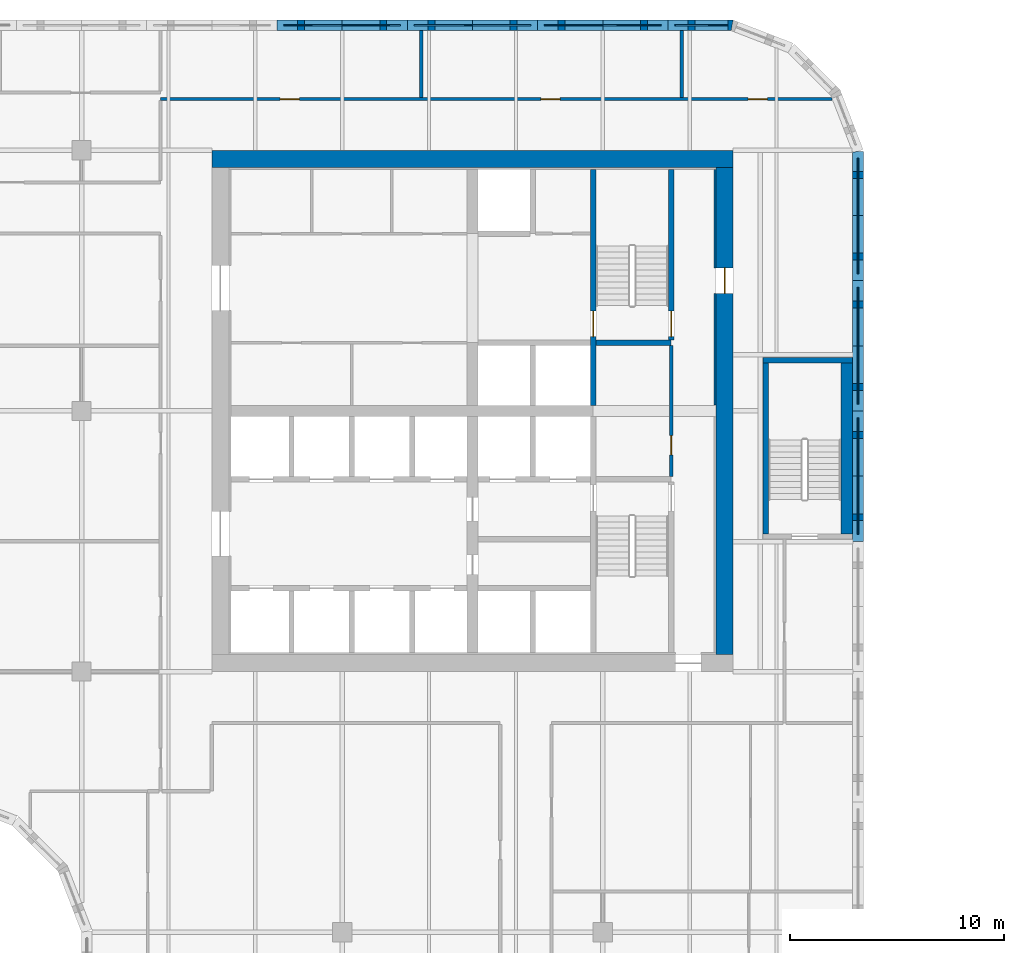
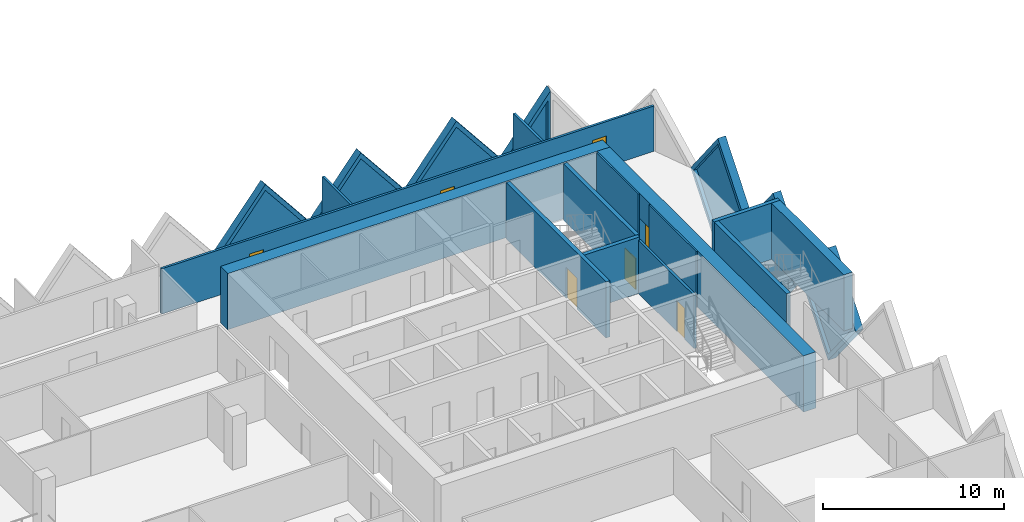
# One storey, part 10 of 19: 21 walls, 7 doors, 7 plates, 14 openings.
"""IFC4 building model written with IfcOpenShell, lengths in metres."""

from ifc_helpers import new_model, si_unit, direction, frame, frame_2d, origin, place, context, subcontext, project, spatial, polyline, rectangle, outline, extrude, faceted_brep, source, transform, mapped, material, layer, layer_set, type_object, element, fill, save


model = new_model("IFC4")

# Units and contexts
model_context = context("Model", 3, precision=1e-05, world=origin(), true_north=direction((0.0, 1.0)))
body_context = subcontext(model_context, "Body", "Model", "MODEL_VIEW")
ifc_project = project(units=[si_unit("LENGTHUNIT", "METRE"), si_unit("AREAUNIT", "SQUARE_METRE"), si_unit("VOLUMEUNIT", "CUBIC_METRE"), si_unit("PLANEANGLEUNIT", "RADIAN"), si_unit("MASSUNIT", "GRAM", prefix="KILO")], contexts=[model_context])

# Site, building, storey
site_placement = place(None, origin())
site = spatial("IfcSite", under=ifc_project, at=site_placement, CompositionType="ELEMENT")
building_placement = place(site_placement, origin())
building = spatial("IfcBuilding", under=site, at=building_placement, Name="Tessera Gate Towers", CompositionType="ELEMENT")
storey_placement = place(building_placement, frame((0.0, 0.0, 83.800048828125)))
storey = spatial("IfcBuildingStorey", under=building, at=storey_placement, Name="L20", CompositionType="ELEMENT", Elevation=83.800048828125)

# Wall, opening, door
ifc_material_1 = material(Name="Concrete C40/50", Category="concrete")
ifc_layer_1 = layer(ifc_material_1, 0.25)
ifc_layer_set_1 = layer_set([ifc_layer_1], Name="CORE ENCLOSURE WALL 250")
wall_type_1 = type_object("IfcWallType", Name="CORE ENCLOSURE WALL 250", PredefinedType="SOLIDWALL", material=ifc_layer_set_1)
wall_1_placement = place(storey_placement, frame((48.35009765625, 47.89990234375, 0.0), z_axis=(0.0, 0.0, 1.0), x_axis=(0.0, -1.0, 0.0)))
wall_1 = element("IfcWall", 1, at=wall_1_placement, inside=storey, type_object=wall_type_1, Name="L20 shaft and stair enclosure wall", PredefinedType="SOLIDWALL", context=body_context, shape_type="SweptSolid", body=[
    extrude(rectangle(XDim=11.0498046875, YDim=0.25, at=frame_2d((5.52490234375, 0.0))), origin(), (0.0, 0.0, 1.0), 3.800048828125),
])
shared_shape_1 = source(origin(), body_context, "Body", "SweptSolid", [
    extrude(rectangle(XDim=1.199951171875, YDim=2.10009765625, at=frame_2d((0.60009765625, 1.050048828125))), frame((0.0, 0.135009765625, 0.0), z_axis=(0.0, -1.0, 0.0), x_axis=(1.0, 0.0, 0.0)), (0.0, 0.0, 1.0), 0.27001953125),
])
opening_1_placement = place(wall_1_placement, frame((6.625, 0.0, 0.0)))
opening_1 = element("IfcOpeningElement", 2, at=opening_1_placement, cuts=wall_1, Name="Opening SD-ST2-1", PredefinedType="OPENING", context=body_context, shape_type="MappedRepresentation", body=[
    mapped(shared_shape_1, transform((0.0, 0.0, 0.0), scale=1.0)),
])
ifc_material_2 = material(Name="Hollow steel fire door", Category="steel")
door_type_1 = type_object("IfcDoorType", Name="CORE DOOR SD 1200x2100", OperationType="NOTDEFINED", PredefinedType="DOOR", material=ifc_material_2)
shared_shape_2 = source(origin(), body_context, "Body", "SweptSolid", [
    extrude(rectangle(XDim=1.199951171875, YDim=2.10009765625, at=frame_2d((0.60009765625, 1.050048828125))), frame((0.0, 0.02490234375, 0.0), z_axis=(0.0, -1.0, 0.0), x_axis=(1.0, 0.0, 0.0)), (0.0, 0.0, 1.0), 0.050048828125),
])
door_1_placement = place(opening_1_placement, origin())
door_1 = element("IfcDoor", 3, at=door_1_placement, inside=storey, type_object=door_type_1, Name="Stair door", OperationType="SINGLE_SWING_RIGHT", OverallHeight=2.10009765625, OverallWidth=1.199951171875, PredefinedType="DOOR", context=body_context, shape_type="MappedRepresentation", body=[
    mapped(shared_shape_2, transform((0.0, 0.0, 0.0), scale=1.0)),
])
fill(opening_1, door_1)

# Wall
wall_2_placement = place(storey_placement, frame((48.47509765625, 39.800048828125, 0.0), z_axis=(0.0, 0.0, 1.0), x_axis=(1.0, 0.0, 0.0)))
element("IfcWall", 4, at=wall_2_placement, inside=storey, type_object=wall_type_1, Name="L20 shaft and stair enclosure wall", PredefinedType="SOLIDWALL", context=body_context, shape_type="SweptSolid", body=[
    extrude(rectangle(XDim=3.52490234375, YDim=0.25, at=frame_2d((1.762451171875, 0.0))), origin(), (0.0, 0.0, 1.0), 3.800048828125),
])

# Wall, opening, door
wall_3_placement = place(storey_placement, frame((52.0, 39.925048828125, 0.0), z_axis=(0.0, 0.0, 1.0), x_axis=(0.0, 1.0, 0.0)))
wall_3 = element("IfcWall", 5, at=wall_3_placement, inside=storey, type_object=wall_type_1, Name="L20 shaft and stair enclosure wall", PredefinedType="SOLIDWALL", context=body_context, shape_type="SweptSolid", body=[
    extrude(rectangle(XDim=7.974853515625, YDim=0.25, at=frame_2d((3.9873046875, 0.0))), origin(), (0.0, 0.0, 1.0), 3.800048828125),
])
opening_2_placement = place(wall_3_placement, frame((0.14990234375, 0.0, 0.0)))
opening_2 = element("IfcOpeningElement", 6, at=opening_2_placement, cuts=wall_3, Name="Opening SD-ST2-2", PredefinedType="OPENING", context=body_context, shape_type="MappedRepresentation", body=[
    mapped(shared_shape_1, transform((0.0, 0.0, 0.0), scale=1.0)),
])
door_2_placement = place(opening_2_placement, origin())
door_2 = element("IfcDoor", 7, at=door_2_placement, inside=storey, type_object=door_type_1, Name="Stair door", OperationType="SINGLE_SWING_LEFT", OverallHeight=2.10009765625, OverallWidth=1.199951171875, PredefinedType="DOOR", context=body_context, shape_type="MappedRepresentation", body=[
    mapped(shared_shape_2, transform((0.0, 0.0, 0.0), scale=1.0)),
])
fill(opening_2, door_2)

# Walls
wall_4_placement = place(storey_placement, frame((56.425048828125, 30.85009765625, 0.0), z_axis=(0.0, 0.0, 1.0), x_axis=(0.0, 1.0, 0.0)))
element("IfcWall", 8, at=wall_4_placement, inside=storey, type_object=wall_type_1, Name="L20 ST5 enclosure wall", PredefinedType="SOLIDWALL", context=body_context, shape_type="SweptSolid", body=[
    extrude(rectangle(XDim=8.0, YDim=0.25, at=frame_2d((4.0, 0.0))), origin(), (0.0, 0.0, 1.0), 3.800048828125),
])
wall_5_placement = place(storey_placement, frame((56.300048828125, 38.97509765625, 0.0), z_axis=(0.0, 0.0, 1.0), x_axis=(1.0, 0.0, 0.0)))
element("IfcWall", 9, at=wall_5_placement, inside=storey, type_object=wall_type_1, Name="L20 ST5 enclosure wall", PredefinedType="SOLIDWALL", context=body_context, shape_type="SweptSolid", body=[
    extrude(rectangle(XDim=4.199951171875, YDim=0.25, at=frame_2d((2.10009765625, 0.0))), origin(), (0.0, 0.0, 1.0), 3.800048828125),
])
ifc_material_3 = material(Name="Concrete C40/50", Category="concrete")
ifc_layer_2 = layer(ifc_material_3, 0.550048828125)
ifc_layer_set_2 = layer_set([ifc_layer_2], Name="CORE ENCLOSURE WALL 550")
wall_type_2 = type_object("IfcWallType", Name="CORE ENCLOSURE WALL 550", PredefinedType="SOLIDWALL", material=ifc_layer_set_2)
wall_6_placement = place(storey_placement, frame((60.22509765625, 38.85009765625, 0.0), z_axis=(0.0, 0.0, 1.0), x_axis=(0.0, -1.0, 0.0)))
element("IfcWall", 10, at=wall_6_placement, inside=storey, type_object=wall_type_2, Name="L20 ST5 enclosure wall", PredefinedType="SOLIDWALL", context=body_context, shape_type="SweptSolid", body=[
    extrude(rectangle(XDim=8.0, YDim=0.550048828125, at=frame_2d((4.0, 0.0))), origin(), (0.0, 0.0, 1.0), 3.800048828125),
])
ifc_material_4 = material(Name="Concrete C60/75", Category="concrete")
ifc_layer_3 = layer(ifc_material_4, 0.800048828125)
ifc_layer_set_3 = layer_set([ifc_layer_3], Name="CORE SHEAR WALL 800 C60/75")
wall_type_3 = type_object("IfcWallType", Name="CORE SHEAR WALL 800 C60/75", PredefinedType="SHEAR", material=ifc_layer_set_3)
wall_7_placement = place(storey_placement, frame((30.5, 48.39990234375, 0.0), z_axis=(0.0, 0.0, 1.0), x_axis=(1.0, 0.0, 0.0)))
element("IfcWall", 11, at=wall_7_placement, inside=storey, type_object=wall_type_3, Name="Core wall N L20", PredefinedType="SHEAR", context=body_context, shape_type="SweptSolid", body=[
    extrude(rectangle(XDim=24.39990234375, YDim=0.800048828125, at=frame_2d((12.199951171875, 0.0))), origin(), (0.0, 0.0, 1.0), 3.800048828125),
])

# Wall, opening, door
wall_8_placement = place(storey_placement, frame((54.5, 48.0, 0.0), z_axis=(0.0, 0.0, 1.0), x_axis=(0.0, -1.0, 0.0)))
wall_8 = element("IfcWall", 12, at=wall_8_placement, inside=storey, type_object=wall_type_3, Name="Core wall E L20", PredefinedType="SHEAR", context=body_context, shape_type="SweptSolid", body=[
    extrude(rectangle(XDim=22.800048828125, YDim=0.800048828125, at=frame_2d((11.39990234375, 0.0))), origin(), (0.0, 0.0, 1.0), 3.800048828125),
])
shared_shape_3 = source(origin(), body_context, "Body", "SweptSolid", [
    extrude(rectangle(XDim=1.199951171875, YDim=2.10009765625, at=frame_2d((0.60009765625, 1.050048828125))), frame((0.0, 0.409912109375, 0.0), z_axis=(0.0, -1.0, 0.0), x_axis=(1.0, 0.0, 0.0)), (0.0, 0.0, 1.0), 0.820068359375),
])
opening_3_placement = place(wall_8_placement, frame((4.699951171875, 0.0, 0.0)))
opening_3 = element("IfcOpeningElement", 13, at=opening_3_placement, cuts=wall_8, Name="Opening ED-T1-14-04", PredefinedType="OPENING", context=body_context, shape_type="MappedRepresentation", body=[
    mapped(shared_shape_3, transform((0.0, 0.0, 0.0), scale=1.0)),
])
ifc_material_5 = material(Name="Hollow steel fire door", Category="steel")
door_type_2 = type_object("IfcDoorType", Name="CORE DOOR ED 1200x2100", OperationType="NOTDEFINED", PredefinedType="DOOR", material=ifc_material_5)
door_3_placement = place(opening_3_placement, origin())
door_3 = element("IfcDoor", 14, at=door_3_placement, inside=storey, type_object=door_type_2, Name="Core exit door", OperationType="SINGLE_SWING_LEFT", OverallHeight=2.10009765625, OverallWidth=1.199951171875, PredefinedType="DOOR", context=body_context, shape_type="MappedRepresentation", body=[
    mapped(shared_shape_2, transform((0.0, 0.0, 0.0), scale=1.0)),
])
fill(opening_3, door_3)

# Walls
ifc_material_6 = material(Name="Concrete C60/75", Category="concrete")
ifc_layer_4 = layer(ifc_material_6, 0.10009765625)
ifc_layer_set_4 = layer_set([ifc_layer_4], Name="CORE WALL THICKENING 100")
wall_type_4 = type_object("IfcWallType", Name="CORE WALL THICKENING 100", PredefinedType="SOLIDWALL", material=ifc_layer_set_4)
wall_9_placement = place(storey_placement, frame((54.050048828125, 36.8798828125, 0.0), z_axis=(0.0, 0.0, 1.0), x_axis=(0.0, 1.0, 0.0)))
element("IfcWall", 15, at=wall_9_placement, inside=storey, type_object=wall_type_4, Name="Core wall thickening E L20", PredefinedType="SOLIDWALL", context=body_context, shape_type="SweptSolid", body=[
    extrude(rectangle(XDim=5.22021484375, YDim=0.10009765625, at=frame_2d((2.610107421875, 0.0))), origin(), (0.0, 0.0, 1.0), 3.800048828125),
])
wall_10_placement = place(storey_placement, frame((54.050048828125, 43.300048828125, 0.0), z_axis=(0.0, 0.0, 1.0), x_axis=(0.0, 1.0, 0.0)))
element("IfcWall", 16, at=wall_10_placement, inside=storey, type_object=wall_type_4, Name="Core wall thickening E L20", PredefinedType="SOLIDWALL", context=body_context, shape_type="SweptSolid", body=[
    extrude(rectangle(XDim=4.599853515625, YDim=0.10009765625, at=frame_2d((2.2998046875, 0.0))), origin(), (0.0, 0.0, 1.0), 3.800048828125),
])

# Wall, openings, doors
ifc_material_7 = material(Name="Gypsum board on steel studs, mineral wool", Category="steel")
ifc_layer_5 = layer(ifc_material_7, 0.14990234375)
ifc_layer_set_5 = layer_set([ifc_layer_5], Name="CORRIDOR WALL 150")
wall_type_5 = type_object("IfcWallType", Name="CORRIDOR WALL 150", PredefinedType="PARTITIONING", material=ifc_layer_set_5)
wall_11_placement = place(storey_placement, frame((28.10009765625, 51.199951171875, 0.0), z_axis=(0.0, 0.0, 1.0), x_axis=(1.0, 0.0, 0.0)))
wall_11 = element("IfcWall", 17, at=wall_11_placement, inside=storey, type_object=wall_type_5, Name="T1-L20-PW-046", PredefinedType="PARTITIONING", context=body_context, shape_type="SweptSolid", body=[
    extrude(rectangle(XDim=31.438232421875, YDim=0.14990234375, at=frame_2d((15.71923828125, 0.0))), origin(), (0.0, 0.0, 1.0), 3.06689453125),
])
shared_shape_4 = source(origin(), body_context, "Body", "SweptSolid", [
    extrude(rectangle(XDim=0.89990234375, YDim=2.10009765625, at=frame_2d((0.449951171875, 1.050048828125))), frame((0.0, 0.0849609375, 0.0), z_axis=(0.0, -1.0, 0.0), x_axis=(1.0, 0.0, 0.0)), (0.0, 0.0, 1.0), 0.169921875),
])
opening_4_placement = place(wall_11_placement, frame((27.5009765625, 0.0, 0.0)))
opening_4 = element("IfcOpeningElement", 18, at=opening_4_placement, cuts=wall_11, Name="Opening D890FD60-A07-05", PredefinedType="OPENING", context=body_context, shape_type="MappedRepresentation", body=[
    mapped(shared_shape_4, transform((0.0, 0.0, 0.0), scale=1.0)),
])
opening_5_placement = place(wall_11_placement, frame((5.60009765625, 0.0, 0.0)))
opening_5 = element("IfcOpeningElement", 19, at=opening_5_placement, cuts=wall_11, Name="Opening D890FD60-A07-10", PredefinedType="OPENING", context=body_context, shape_type="MappedRepresentation", body=[
    mapped(shared_shape_4, transform((0.0, 0.0, 0.0), scale=1.0)),
])
opening_6_placement = place(wall_11_placement, frame((17.800048828125, 0.0, 0.0)))
opening_6 = element("IfcOpeningElement", 20, at=opening_6_placement, cuts=wall_11, Name="Opening D890FD60-A07-11", PredefinedType="OPENING", context=body_context, shape_type="MappedRepresentation", body=[
    mapped(shared_shape_4, transform((0.0, 0.0, 0.0), scale=1.0)),
])
ifc_material_8 = material(Name="Timber door leaf in steel frame", Category="steel")
door_type_3 = type_object("IfcDoorType", Name="CORRIDOR DOOR 900 FD60", OperationType="NOTDEFINED", PredefinedType="DOOR", material=ifc_material_8)
shared_shape_5 = source(origin(), body_context, "Body", "SweptSolid", [
    extrude(rectangle(XDim=0.89990234375, YDim=2.10009765625, at=frame_2d((0.449951171875, 1.050048828125))), frame((0.0, 0.02490234375, 0.0), z_axis=(0.0, -1.0, 0.0), x_axis=(1.0, 0.0, 0.0)), (0.0, 0.0, 1.0), 0.050048828125),
])
door_4_placement = place(opening_4_placement, origin())
door_4 = element("IfcDoor", 21, at=door_4_placement, inside=storey, type_object=door_type_3, Name="T1-L20-PD-014", OperationType="SINGLE_SWING_LEFT", OverallHeight=2.10009765625, OverallWidth=0.89990234375, PredefinedType="DOOR", context=body_context, shape_type="MappedRepresentation", body=[
    mapped(shared_shape_5, transform((0.0, 0.0, 0.0), scale=1.0)),
])
fill(opening_4, door_4)
door_5_placement = place(opening_5_placement, origin())
door_5 = element("IfcDoor", 22, at=door_5_placement, inside=storey, type_object=door_type_3, Name="T1-L20-PD-024", OperationType="SINGLE_SWING_LEFT", OverallHeight=2.10009765625, OverallWidth=0.89990234375, PredefinedType="DOOR", context=body_context, shape_type="MappedRepresentation", body=[
    mapped(shared_shape_5, transform((0.0, 0.0, 0.0), scale=1.0)),
])
fill(opening_5, door_5)
door_6_placement = place(opening_6_placement, origin())
door_6 = element("IfcDoor", 23, at=door_6_placement, inside=storey, type_object=door_type_3, Name="T1-L20-PD-025", OperationType="SINGLE_SWING_LEFT", OverallHeight=2.10009765625, OverallWidth=0.89990234375, PredefinedType="DOOR", context=body_context, shape_type="MappedRepresentation", body=[
    mapped(shared_shape_5, transform((0.0, 0.0, 0.0), scale=1.0)),
])
fill(opening_6, door_6)

# Wall, opening, door
ifc_material_9 = material(Name="Gypsum board on steel studs", Category="steel")
ifc_layer_6 = layer(ifc_material_9, 0.14990234375)
ifc_layer_set_6 = layer_set([ifc_layer_6], Name="SERVICE ROOM WALL 150")
wall_type_6 = type_object("IfcWallType", Name="SERVICE ROOM WALL 150", PredefinedType="PARTITIONING", material=ifc_layer_set_6)
wall_12_placement = place(storey_placement, frame((52.0, 33.52490234375, 0.0), z_axis=(0.0, 0.0, 1.0), x_axis=(0.0, 1.0, 0.0)))
wall_12 = element("IfcWall", 24, at=wall_12_placement, inside=storey, type_object=wall_type_6, Name="L20 service room wall", PredefinedType="PARTITIONING", context=body_context, shape_type="SweptSolid", body=[
    extrude(rectangle(XDim=6.150146484375, YDim=0.14990234375, at=frame_2d((3.0751953125, 0.0))), origin(), (0.0, 0.0, 1.0), 3.599853515625),
])
opening_7_placement = place(wall_12_placement, frame((1.02490234375, 0.0, 0.0)))
opening_7 = element("IfcOpeningElement", 25, at=opening_7_placement, cuts=wall_12, Name="Opening RD-T1-14-12", PredefinedType="OPENING", context=body_context, shape_type="MappedRepresentation", body=[
    mapped(shared_shape_4, transform((0.0, 0.0, 0.0), scale=1.0)),
])
ifc_material_10 = material(Name="Hollow steel fire door", Category="steel")
door_type_4 = type_object("IfcDoorType", Name="CORE DOOR RD 900x2100", OperationType="NOTDEFINED", PredefinedType="DOOR", material=ifc_material_10)
door_7_placement = place(opening_7_placement, origin())
door_7 = element("IfcDoor", 26, at=door_7_placement, inside=storey, type_object=door_type_4, Name="Core room door", OperationType="SINGLE_SWING_LEFT", OverallHeight=2.10009765625, OverallWidth=0.89990234375, PredefinedType="DOOR", context=body_context, shape_type="MappedRepresentation", body=[
    mapped(shared_shape_5, transform((0.0, 0.0, 0.0), scale=1.0)),
])
fill(opening_7, door_7)

# Walls
ifc_material_11 = material(Name="Gypsum board on steel studs, mineral wool", Category="steel")
ifc_layer_7 = layer(ifc_material_11, 0.14990234375)
ifc_layer_set_7 = layer_set([ifc_layer_7], Name="TENANCY WALL 150")
wall_type_7 = type_object("IfcWallType", Name="TENANCY WALL 150", PredefinedType="PARTITIONING", material=ifc_layer_set_7)
for number, where, z_axis, x_axis, name in (
    (27, (40.300048828125, 51.27587890625, 0.0), (0.0, 0.0, 1.0), (0.0, 1.0, 0.0), "T1-L20-PW-047"),
    (28, (52.5, 51.27587890625, 0.0), (0.0, 0.0, 1.0), (0.0, 1.0, 0.0), "T1-L20-PW-048"),
):
    element("IfcWall", number, at=place(storey_placement, frame(where, z_axis=z_axis, x_axis=x_axis)), inside=storey, type_object=wall_type_7, Name=name, PredefinedType="PARTITIONING", context=body_context, shape_type="SweptSolid", body=[
        extrude(rectangle(XDim=3.1240234375, YDim=0.14990234375, at=frame_2d((1.56201171875, 0.0))), origin(), (0.0, 0.0, 1.0), 3.06689453125),
    ])

# Wall, opening, plate
ifc_material_12 = material(Name="Precast concrete C60/75 white", Category="concrete")
ifc_layer_8 = layer(ifc_material_12, 0.5)
ifc_layer_set_8 = layer_set([ifc_layer_8], Name="TS1 tessera")
wall_type_8 = type_object("IfcWallType", Name="TS1 tessera", PredefinedType="SOLIDWALL", material=ifc_layer_set_8)
shared_shape_6 = source(origin(), body_context, "Body", "Brep", [
    faceted_brep([(3.050048828125, -0.25, 0.0), (6.099853515625, -0.25, 3.7998046875), (6.099853515625, -0.25, 3.80029296875), (3.050048828125, -0.25, 7.60009765625), (0.0, -0.25, 3.800048828125), (0.0, 0.25, 3.800048828125), (3.050048828125, 0.25, 7.60009765625), (6.099853515625, 0.25, 3.80029296875), (6.099853515625, 0.25, 3.7998046875), (3.050048828125, 0.25, 0.0)], [[[0, 1, 2, 3, 4]], [[5, 6, 7, 8, 9]], [[9, 8, 1, 0]], [[7, 6, 3, 2]], [[6, 5, 4, 3]], [[5, 9, 0, 4]], [[1, 8, 7, 2]]]),
])
wall_13_placement = place(storey_placement, frame((60.75, 36.60009765625, -3.800048828125), z_axis=(0.0, 0.0, 1.0), x_axis=(0.0, 1.0, 0.0)))
wall_13 = element("IfcWall", 29, at=wall_13_placement, inside=storey, type_object=wall_type_8, Name="Precast tessera T1 TS1-0307", PredefinedType="SOLIDWALL", context=body_context, shape_type="MappedRepresentation", body=[
    mapped(shared_shape_6, transform((0.0, 0.0, 0.0), scale=1.0)),
])
shared_shape_7 = source(origin(), body_context, "Body", "SweptSolid", [
    extrude(outline(polyline([(3.050048828125, 0.3994140625), (5.779541015625, 3.800048828125), (3.050048828125, 7.20068359375), (0.320556640625, 3.800048828125), (3.050048828125, 0.3994140625)])), frame((0.0, 0.260009765625, 0.0), z_axis=(0.0, -1.0, 0.0), x_axis=(1.0, 0.0, 0.0)), (0.0, 0.0, 1.0), 0.52001953125),
])
opening_8_placement = place(wall_13_placement, origin())
opening_8 = element("IfcOpeningElement", 30, at=opening_8_placement, cuts=wall_13, Name="Opening T1-PL2-0625", PredefinedType="OPENING", context=body_context, shape_type="MappedRepresentation", body=[
    mapped(shared_shape_7, transform((0.0, 0.0, 0.0), scale=1.0)),
])
ifc_material_13 = material(Name="Low-e laminated glass", Category="glass")
ifc_layer_9 = layer(ifc_material_13, 0.06005859375)
ifc_layer_set_9 = layer_set([ifc_layer_9], Name="PL2 rhombic pane")
plate_type = type_object("IfcPlateType", Name="PL2 rhombic pane", PredefinedType="SHEET", material=ifc_layer_set_9)
shared_shape_8 = source(origin(), body_context, "Body", "SweptSolid", [
    extrude(outline(polyline([(3.050048828125, 0.3994140625), (5.779541015625, 3.800048828125), (3.050048828125, 7.20068359375), (0.320556640625, 3.800048828125), (3.050048828125, 0.3994140625)])), frame((0.0, 0.030029296875, 0.0), z_axis=(0.0, -1.0, 0.0), x_axis=(1.0, 0.0, 0.0)), (0.0, 0.0, 1.0), 0.06005859375),
])
plate_1_placement = place(opening_8_placement, origin())
plate_1 = element("IfcPlate", 31, at=plate_1_placement, inside=storey, type_object=plate_type, Name="Glass pane T1 PL2-0625", PredefinedType="SHEET", context=body_context, shape_type="MappedRepresentation", body=[
    mapped(shared_shape_8, transform((0.0, 0.0, 0.0), scale=1.0)),
])
fill(opening_8, plate_1)

wall_14_placement = place(storey_placement, frame((39.64990234375, 54.64990234375, -3.800048828125), z_axis=(0.0, 0.0, 1.0), x_axis=(-1.0, 0.0, 0.0)))
wall_14 = element("IfcWall", 32, at=wall_14_placement, inside=storey, type_object=wall_type_8, Name="Precast tessera T1 TS1-0311", PredefinedType="SOLIDWALL", context=body_context, shape_type="MappedRepresentation", body=[
    mapped(shared_shape_6, transform((0.0, 0.0, 0.0), scale=1.0)),
])
opening_9_placement = place(wall_14_placement, origin())
opening_9 = element("IfcOpeningElement", 33, at=opening_9_placement, cuts=wall_14, Name="Opening T1-PL2-0633", PredefinedType="OPENING", context=body_context, shape_type="MappedRepresentation", body=[
    mapped(shared_shape_7, transform((0.0, 0.0, 0.0), scale=1.0)),
])
plate_2_placement = place(opening_9_placement, origin())
plate_2 = element("IfcPlate", 34, at=plate_2_placement, inside=storey, type_object=plate_type, Name="Glass pane T1 PL2-0633", PredefinedType="SHEET", context=body_context, shape_type="MappedRepresentation", body=[
    mapped(shared_shape_8, transform((0.0, 0.0, 0.0), scale=1.0)),
])
fill(opening_9, plate_2)

shared_shape_9 = source(origin(), body_context, "Body", "SweptSolid", [
    extrude(outline(polyline([(3.050048828125, 0.0), (6.10009765625, 3.800048828125), (3.050048828125, 7.60009765625), (0.0, 3.800048828125), (3.050048828125, 0.0)])), frame((0.0, 0.25, 0.0), z_axis=(0.0, -1.0, 0.0), x_axis=(1.0, 0.0, 0.0)), (0.0, 0.0, 1.0), 0.5),
])
wall_15_placement = place(storey_placement, frame((60.75, 30.5, -3.800048828125), z_axis=(0.0, 0.0, 1.0), x_axis=(0.0, 1.0, 0.0)))
wall_15 = element("IfcWall", 35, at=wall_15_placement, inside=storey, type_object=wall_type_8, Name="Precast tessera T1 TS1-0306", PredefinedType="SOLIDWALL", context=body_context, shape_type="MappedRepresentation", body=[
    mapped(shared_shape_9, transform((0.0, 0.0, 0.0), scale=1.0)),
])
opening_10_placement = place(wall_15_placement, origin())
opening_10 = element("IfcOpeningElement", 36, at=opening_10_placement, cuts=wall_15, Name="Opening T1-PL2-0624", PredefinedType="OPENING", context=body_context, shape_type="MappedRepresentation", body=[
    mapped(shared_shape_7, transform((0.0, 0.0, 0.0), scale=1.0)),
])
plate_3_placement = place(opening_10_placement, origin())
plate_3 = element("IfcPlate", 37, at=plate_3_placement, inside=storey, type_object=plate_type, Name="Glass pane T1 PL2-0624", PredefinedType="SHEET", context=body_context, shape_type="MappedRepresentation", body=[
    mapped(shared_shape_8, transform((0.0, 0.0, 0.0), scale=1.0)),
])
fill(opening_10, plate_3)

wall_16_placement = place(storey_placement, frame((51.85009765625, 54.64990234375, -3.800048828125), z_axis=(0.0, 0.0, 1.0), x_axis=(-1.0, 0.0, 0.0)))
wall_16 = element("IfcWall", 38, at=wall_16_placement, inside=storey, type_object=wall_type_8, Name="Precast tessera T1 TS1-0309", PredefinedType="SOLIDWALL", context=body_context, shape_type="MappedRepresentation", body=[
    mapped(shared_shape_9, transform((0.0, 0.0, 0.0), scale=1.0)),
])
opening_11_placement = place(wall_16_placement, origin())
opening_11 = element("IfcOpeningElement", 39, at=opening_11_placement, cuts=wall_16, Name="Opening T1-PL2-0631", PredefinedType="OPENING", context=body_context, shape_type="MappedRepresentation", body=[
    mapped(shared_shape_7, transform((0.0, 0.0, 0.0), scale=1.0)),
])
plate_4_placement = place(opening_11_placement, origin())
plate_4 = element("IfcPlate", 40, at=plate_4_placement, inside=storey, type_object=plate_type, Name="Glass pane T1 PL2-0631", PredefinedType="SHEET", context=body_context, shape_type="MappedRepresentation", body=[
    mapped(shared_shape_8, transform((0.0, 0.0, 0.0), scale=1.0)),
])
fill(opening_11, plate_4)

wall_17_placement = place(storey_placement, frame((45.75, 54.64990234375, -3.800048828125), z_axis=(0.0, 0.0, 1.0), x_axis=(-1.0, 0.0, 0.0)))
wall_17 = element("IfcWall", 41, at=wall_17_placement, inside=storey, type_object=wall_type_8, Name="Precast tessera T1 TS1-0310", PredefinedType="SOLIDWALL", context=body_context, shape_type="MappedRepresentation", body=[
    mapped(shared_shape_9, transform((0.0, 0.0, 0.0), scale=1.0)),
])
opening_12_placement = place(wall_17_placement, origin())
opening_12 = element("IfcOpeningElement", 42, at=opening_12_placement, cuts=wall_17, Name="Opening T1-PL2-0632", PredefinedType="OPENING", context=body_context, shape_type="MappedRepresentation", body=[
    mapped(shared_shape_7, transform((0.0, 0.0, 0.0), scale=1.0)),
])
plate_5_placement = place(opening_12_placement, origin())
plate_5 = element("IfcPlate", 43, at=plate_5_placement, inside=storey, type_object=plate_type, Name="Glass pane T1 PL2-0632", PredefinedType="SHEET", context=body_context, shape_type="MappedRepresentation", body=[
    mapped(shared_shape_8, transform((0.0, 0.0, 0.0), scale=1.0)),
])
fill(opening_12, plate_5)

shared_shape_10 = source(origin(), body_context, "Body", "Brep", [
    faceted_brep([(3.050048828125, -0.25, 0.0), (6.053466796875, -0.25, 3.800048828125), (3.050048828125, -0.25, 7.60009765625), (0.0, -0.25, 3.800048828125), (0.0, 0.25, 3.800048828125), (3.050048828125, 0.25, 7.60009765625), (6.0068359375, 0.25, 3.85888671875), (6.0068359375, 0.25, 3.7412109375), (3.050048828125, 0.25, 0.0), (6.053466796875, 0.0, 3.800048828125)], [[[0, 1, 2, 3]], [[4, 5, 6, 7, 8]], [[8, 7, 9, 1, 0]], [[6, 5, 2, 1, 9]], [[5, 4, 3, 2]], [[4, 8, 0, 3]], [[9, 7, 6]]]),
])
wall_18_placement = place(storey_placement, frame((60.75, 42.699951171875, -3.800048828125), z_axis=(0.0, 0.0, 1.0), x_axis=(0.0, 1.0, 0.0)))
wall_18 = element("IfcWall", 44, at=wall_18_placement, inside=storey, type_object=wall_type_8, Name="Precast tessera T1 TS1-0308", PredefinedType="SOLIDWALL", context=body_context, shape_type="MappedRepresentation", body=[
    mapped(shared_shape_10, transform((0.0, 0.0, 0.0), scale=1.0)),
])
shared_shape_11 = source(origin(), body_context, "Body", "SweptSolid", [
    extrude(outline(polyline([(3.048583984375, 0.4013671875), (5.73486328125, 3.800048828125), (3.048583984375, 7.19873046875), (0.320556640625, 3.800048828125), (3.048583984375, 0.4013671875)])), frame((0.0, 0.260009765625, 0.0), z_axis=(0.0, -1.0, 0.0), x_axis=(1.0, 0.0, 0.0)), (0.0, 0.0, 1.0), 0.52001953125),
])
opening_13_placement = place(wall_18_placement, origin())
opening_13 = element("IfcOpeningElement", 45, at=opening_13_placement, cuts=wall_18, Name="Opening T1-PL2-0626", PredefinedType="OPENING", context=body_context, shape_type="MappedRepresentation", body=[
    mapped(shared_shape_11, transform((0.0, 0.0, 0.0), scale=1.0)),
])
shared_shape_12 = source(origin(), body_context, "Body", "SweptSolid", [
    extrude(outline(polyline([(3.048583984375, 0.4013671875), (5.73486328125, 3.800048828125), (3.048583984375, 7.19873046875), (0.320556640625, 3.800048828125), (3.048583984375, 0.4013671875)])), frame((0.0, 0.030029296875, 0.0), z_axis=(0.0, -1.0, 0.0), x_axis=(1.0, 0.0, 0.0)), (0.0, 0.0, 1.0), 0.06005859375),
])
plate_6_placement = place(opening_13_placement, origin())
plate_6 = element("IfcPlate", 46, at=plate_6_placement, inside=storey, type_object=plate_type, Name="Glass pane T1 PL2-0626", PredefinedType="SHEET", context=body_context, shape_type="MappedRepresentation", body=[
    mapped(shared_shape_12, transform((0.0, 0.0, 0.0), scale=1.0)),
])
fill(opening_13, plate_6)

ifc_material_14 = material(Name="Precast concrete C60/75 white", Category="concrete")
ifc_layer_10 = layer(ifc_material_14, 0.5)
ifc_layer_set_10 = layer_set([ifc_layer_10], Name="TS3 corner tessera")
wall_type_9 = type_object("IfcWallType", Name="TS3 corner tessera", PredefinedType="SOLIDWALL", material=ifc_layer_set_10)
shared_shape_13 = source(origin(), body_context, "Body", "Brep", [
    faceted_brep([(0.046630859375, -0.25, 0.0), (3.050048828125, -0.25, 3.800048828125), (0.046630859375, -0.25, 7.60009765625), (0.0, -0.25, 7.5400390625), (0.0, -0.25, 0.06005859375), (0.09326171875, 0.25, 7.541259765625), (3.050048828125, 0.25, 3.800048828125), (0.09326171875, 0.25, 0.058837890625), (0.046630859375, 0.0, 0.0), (0.046630859375, 0.0, 7.60009765625)], [[[0, 1, 2, 3, 4]], [[5, 6, 7]], [[7, 6, 1, 0, 8]], [[6, 5, 9, 2, 1]], [[3, 2, 9]], [[8, 0, 4]], [[7, 8, 4, 3, 9, 5]]]),
])
wall_19_placement = place(storey_placement, frame((54.900146484375, 54.64990234375, -3.800048828125), z_axis=(0.0, 0.0, 1.0), x_axis=(-1.0, 0.0, 0.0)))
wall_19 = element("IfcWall", 47, at=wall_19_placement, inside=storey, type_object=wall_type_9, Name="Precast corner tessera T1 TS3-0442", PredefinedType="SOLIDWALL", context=body_context, shape_type="MappedRepresentation", body=[
    mapped(shared_shape_13, transform((0.0, 0.0, 0.0), scale=1.0)),
])
shared_shape_14 = source(origin(), body_context, "Body", "SweptSolid", [
    extrude(outline(polyline([(0.24658203125, 0.65625), (2.7314453125, 3.800048828125), (0.24658203125, 6.94384765625), (0.24658203125, 0.65625)])), frame((0.0, 0.260009765625, 0.0), z_axis=(0.0, -1.0, 0.0), x_axis=(1.0, 0.0, 0.0)), (0.0, 0.0, 1.0), 0.52001953125),
])
opening_14_placement = place(wall_19_placement, origin())
opening_14 = element("IfcOpeningElement", 48, at=opening_14_placement, cuts=wall_19, Name="Opening T1-PL2-0630", PredefinedType="OPENING", context=body_context, shape_type="MappedRepresentation", body=[
    mapped(shared_shape_14, transform((0.0, 0.0, 0.0), scale=1.0)),
])
shared_shape_15 = source(origin(), body_context, "Body", "SweptSolid", [
    extrude(outline(polyline([(0.24658203125, 0.65625), (2.7314453125, 3.800048828125), (0.24658203125, 6.94384765625), (0.24658203125, 0.65625)])), frame((0.0, 0.030029296875, 0.0), z_axis=(0.0, -1.0, 0.0), x_axis=(1.0, 0.0, 0.0)), (0.0, 0.0, 1.0), 0.06005859375),
])
plate_7_placement = place(opening_14_placement, origin())
plate_7 = element("IfcPlate", 49, at=plate_7_placement, inside=storey, type_object=plate_type, Name="Glass pane T1 PL2-0630", PredefinedType="SHEET", context=body_context, shape_type="MappedRepresentation", body=[
    mapped(shared_shape_15, transform((0.0, 0.0, 0.0), scale=1.0)),
])
fill(opening_14, plate_7)

save(model, "model.ifc")
